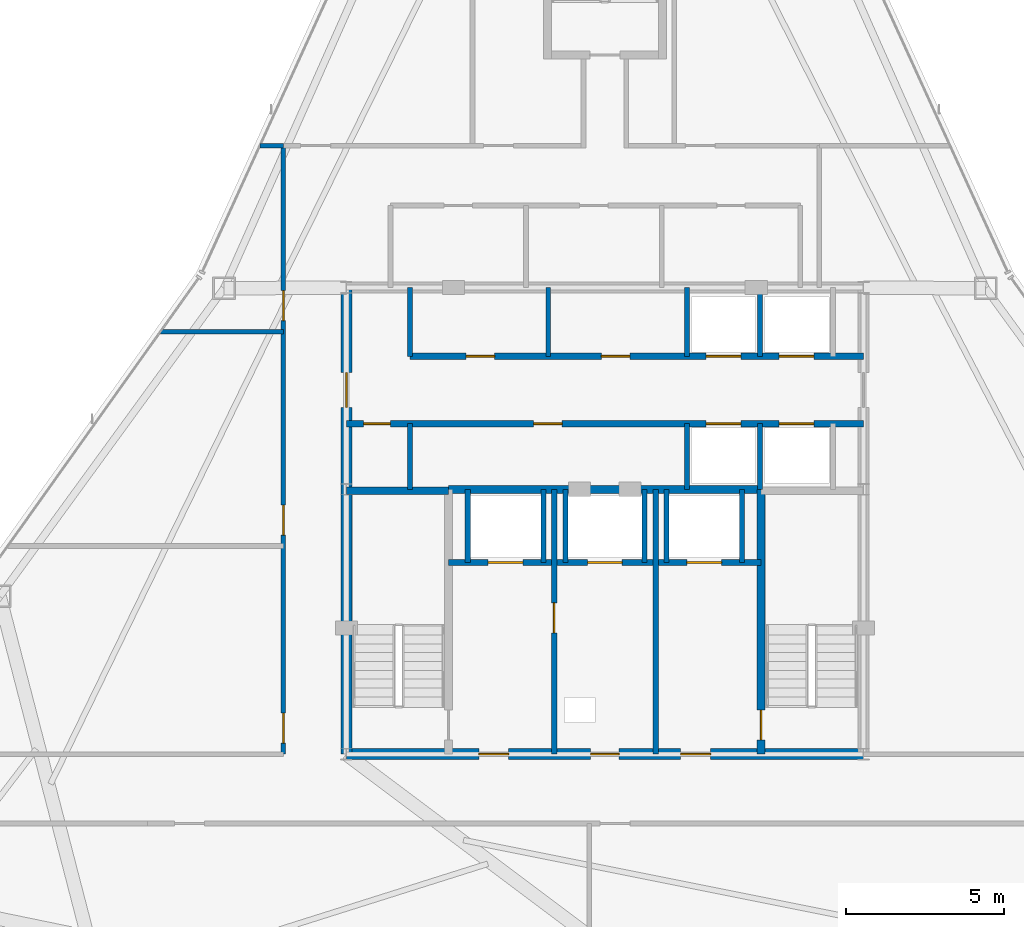
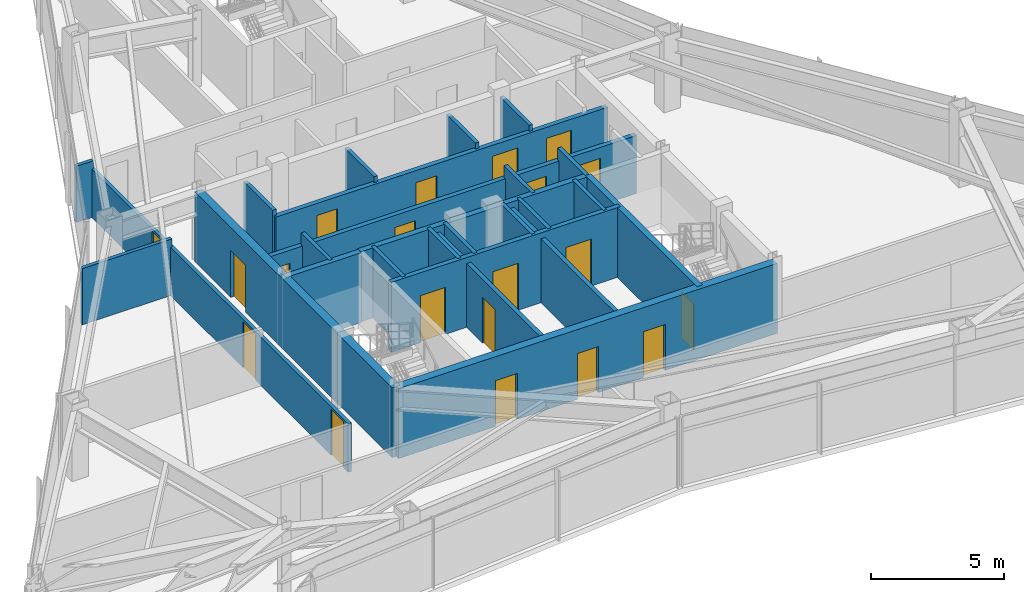
# One storey, part 9 of 11: 26 walls, 20 doors, 20 openings.
"""IFC4 building model written with IfcOpenShell, lengths in metres."""

import ifcopenshell
import ifcopenshell.guid

model = None  # the IFC model being written
_history = None  # IfcOwnerHistory: only IFC2X3 demands one
_inside = {}  # id of a spatial element -> (the spatial element, [elements in it])
_under = {}  # id of a project, library or spatial element -> (it, [spatial elements below it])
_declared = {}  # id of a project -> (the project, [libraries it declares])
_typed = {}  # id of a type object -> (the type object, [elements of that type])
_made_of = {}  # id of a material, layer set ... -> (it, [elements and type objects made of it])


def new_model(schema):
    """Start an empty IFC model of exactly this schema.

    Asked for "IFC4X3", IfcOpenShell would pick the latest addendum, in which some entities
    have other attributes; the version numbers below select the first issue.
    IFC2X3 requires an IfcOwnerHistory on every rooted entity: one is made here for all.
    """
    global model, _history
    if schema == "IFC4X3":
        model = ifcopenshell.file(schema_version=(4, 3, 0, 0))
    else:
        model = ifcopenshell.file(schema=schema)
    _inside.clear()
    _under.clear()
    _declared.clear()
    _typed.clear()
    _made_of.clear()
    _history = None
    if model.schema == "IFC2X3":
        org = make("IfcOrganization", Name="unknown")
        user = make(
            "IfcPersonAndOrganization",
            ThePerson=make("IfcPerson", FamilyName="unknown"),
            TheOrganization=org,
        )
        app = make(
            "IfcApplication",
            ApplicationDeveloper=org,
            Version="unknown",
            ApplicationFullName="unknown",
            ApplicationIdentifier="unknown",
        )
        _history = make(
            "IfcOwnerHistory",
            OwningUser=user,
            OwningApplication=app,
            ChangeAction="ADDED",
            CreationDate=0,
        )
    return model


def make(cls, **values):
    """One entity of the class cls with the attributes given. An attribute that is None is left unset."""
    return model.create_entity(
        cls, **{name: value for name, value in values.items() if value is not None}
    )


def rooted(cls, **values):
    """An entity with a GlobalId (a new one), such as an element, a storey or a relation."""
    return make(cls, GlobalId=ifcopenshell.guid.new(), OwnerHistory=_history, **values)


def si_unit(unit_type, name, prefix=None):
    """IfcSIUnit, for example si_unit("LENGTHUNIT", "METRE", prefix="MILLI")."""
    return make("IfcSIUnit", UnitType=unit_type, Prefix=prefix, Name=name)


def assignment(units):
    """IfcUnitAssignment: the units of a project."""
    return None if units is None else make("IfcUnitAssignment", Units=units)


def point(xyz):
    """IfcCartesianPoint."""
    return None if xyz is None else make("IfcCartesianPoint", Coordinates=xyz)


def direction(xyz):
    """IfcDirection."""
    return None if xyz is None else make("IfcDirection", DirectionRatios=xyz)


def frame(location, z_axis=None, x_axis=None):
    """IfcAxis2Placement3D, a coordinate frame: its origin and axes. An axis left out is left unset."""
    return make(
        "IfcAxis2Placement3D",
        Location=point(location),
        Axis=direction(z_axis),
        RefDirection=direction(x_axis),
    )


def frame_2d(location, x_axis=None):
    """IfcAxis2Placement2D, a coordinate frame in the plane: its origin and x axis."""
    return make(
        "IfcAxis2Placement2D", Location=point(location), RefDirection=direction(x_axis)
    )


def origin():
    """The frame at (0, 0, 0) with its axes left unset."""
    return frame((0.0, 0.0, 0.0))


def place(relative_to, where):
    """IfcLocalPlacement: puts the frame where relative to a parent placement (None: the world)."""
    return make(
        "IfcLocalPlacement", PlacementRelTo=relative_to, RelativePlacement=where
    )


def context(
    kind, dimensions, precision=None, world=None, true_north=None, identifier=None
):
    """IfcGeometricRepresentationContext, for example the 3D "Model" context."""
    return make(
        "IfcGeometricRepresentationContext",
        ContextIdentifier=identifier,
        ContextType=kind,
        CoordinateSpaceDimension=dimensions,
        Precision=precision,
        WorldCoordinateSystem=world,
        TrueNorth=true_north,
    )


def subcontext(parent, identifier, kind, view, scale=None):
    """IfcGeometricRepresentationSubContext, for example "Body" below "Model"."""
    return make(
        "IfcGeometricRepresentationSubContext",
        ContextIdentifier=identifier,
        ContextType=kind,
        ParentContext=parent,
        TargetScale=scale,
        TargetView=view,
    )


def project(units=None, contexts=None):
    """IfcProject with its units and contexts."""
    return rooted(
        "IfcProject",
        Name="project",
        RepresentationContexts=contexts,
        UnitsInContext=assignment(units),
    )


def spatial(cls, under=None, at=None, **own):
    """A site, building, storey or space (cls), placed at a placement, below another one or the project."""
    s = rooted(cls, ObjectPlacement=at, **own)
    if under is not None:
        _under.setdefault(under.id(), (under, []))[1].append(s)
    return s


def profile(cls, at=None, kind="AREA", **sizes):
    """A parametric profile (cls). Its sizes go by their IFC names, for example OverallWidth=200.0."""
    return make(cls, ProfileType=kind, Position=at, **sizes)


def rectangle(**sizes):
    """IfcRectangleProfileDef."""
    return profile("IfcRectangleProfileDef", **sizes)


def extrude(swept, where, along, depth):
    """IfcExtrudedAreaSolid: the profile swept, set in the frame where, extruded along a direction by depth."""
    return make(
        "IfcExtrudedAreaSolid",
        SweptArea=swept,
        Position=where,
        ExtrudedDirection=direction(along),
        Depth=depth,
    )


def shape(context_of_items, identifier, shape_type, items):
    """IfcShapeRepresentation: the items that make up one representation, for example the "Body"."""
    return make(
        "IfcShapeRepresentation",
        ContextOfItems=context_of_items,
        RepresentationIdentifier=identifier,
        RepresentationType=shape_type,
        Items=items,
    )


def material(Name=None, Category=None):
    """IfcMaterial."""
    return make("IfcMaterial", Name=Name, Category=Category)


def layer(
    of_material, thickness, ventilated=None, Name=None, Category=None, Priority=None
):
    """IfcMaterialLayer: one layer of a wall or slab, of a material (None: an air gap)."""
    return make(
        "IfcMaterialLayer",
        Material=of_material,
        LayerThickness=thickness,
        IsVentilated=ventilated,
        Name=Name,
        Category=Category,
        Priority=Priority,
    )


def layer_set(layers, Name=None):
    """IfcMaterialLayerSet."""
    return make("IfcMaterialLayerSet", MaterialLayers=layers, LayerSetName=Name)


def made_of(thing, what):
    """Note that an element or type object is made of a material, layer set ...; save() writes the relation."""
    if what is not None:
        _made_of.setdefault(what.id(), (what, []))[1].append(thing)
    return thing


def type_object(cls, material=None, **own):
    """A type object (cls), such as IfcWallType, which elements share."""
    return made_of(rooted(cls, **own), material)


def element(
    cls,
    number,
    at=None,
    inside=None,
    cuts=None,
    type_object=None,
    material=None,
    context=None,
    identifier="Body",
    shape_type=None,
    held_by="IfcProductDefinitionShape",
    body=None,
    shapes=None,
    **own,
):
    """One element of the class cls, such as IfcWall. Its Tag is "e" and its number.

    at: its placement. inside: the storey or other place that contains it. cuts: it is an
    opening in that element (IfcRelVoidsElement). A single representation is given by context,
    identifier, shape_type and body (its items); several are given by shapes. held_by: the class
    of the entity that holds the representations. save() writes the other relations.
    """
    e = rooted(cls, Tag="e%d" % number, ObjectPlacement=at, **own)
    if body is not None:
        shapes = [shape(context, identifier, shape_type, body)]
    if shapes is not None:
        e.Representation = make(held_by, Representations=shapes)
    if inside is not None:
        _inside.setdefault(inside.id(), (inside, []))[1].append(e)
    if cuts is not None:
        rooted(
            "IfcRelVoidsElement", RelatingBuildingElement=cuts, RelatedOpeningElement=e
        )
    if type_object is not None:
        _typed.setdefault(type_object.id(), (type_object, []))[1].append(e)
    return made_of(e, material)


def fill(opening, filler):
    """IfcRelFillsElement: the door or window that sits in an opening."""
    return rooted(
        "IfcRelFillsElement",
        RelatingOpeningElement=opening,
        RelatedBuildingElement=filler,
    )


def aggregate(whole, parts):
    """IfcRelAggregates: a whole, such as a stair, and the parts it consists of."""
    return rooted("IfcRelAggregates", RelatingObject=whole, RelatedObjects=parts)


def save(model, path):
    """Write the relations noted so far, then the file.

    IfcRelAggregates (storeys below a building ...), IfcRelContainedInSpatialStructure (elements
    in a storey), IfcRelDefinesByType, IfcRelAssociatesMaterial and IfcRelDeclares: one each for
    every whole, place, type object, material and project.
    """
    for whole, parts in _under.values():
        aggregate(whole, parts)
    for where, things in _inside.values():
        rooted(
            "IfcRelContainedInSpatialStructure",
            RelatedElements=things,
            RelatingStructure=where,
        )
    for kind, things in _typed.values():
        rooted("IfcRelDefinesByType", RelatedObjects=things, RelatingType=kind)
    for what, things in _made_of.values():
        rooted("IfcRelAssociatesMaterial", RelatedObjects=things, RelatingMaterial=what)
    for by, libraries in _declared.values():
        rooted("IfcRelDeclares", RelatingContext=by, RelatedDefinitions=libraries)
    model.write(path)


model = new_model("IFC4")

# Units and contexts
model_context = context("Model", 3, precision=1e-05, world=origin(), true_north=direction((0.0, 1.0)))
body_context = subcontext(model_context, "Body", "Model", "MODEL_VIEW")
ifc_project = project(units=[si_unit("LENGTHUNIT", "METRE"), si_unit("AREAUNIT", "SQUARE_METRE"), si_unit("VOLUMEUNIT", "CUBIC_METRE"), si_unit("PLANEANGLEUNIT", "RADIAN"), si_unit("MASSUNIT", "GRAM", prefix="KILO")], contexts=[model_context])

# Site, building, storey
site_placement = place(None, origin())
site = spatial("IfcSite", under=ifc_project, at=site_placement, CompositionType="ELEMENT")
building_placement = place(site_placement, origin())
building = spatial("IfcBuilding", under=site, at=building_placement, Name="Varakhsha Concourse Tower", CompositionType="ELEMENT")
storey_placement = place(building_placement, frame((0.0, 0.0, 246.89990234375)))
storey = spatial("IfcBuildingStorey", under=building, at=storey_placement, Name="L70", CompositionType="ELEMENT", Elevation=246.89990234375)

# Wall, openings, doors
ifc_material_1 = material(Name="Concrete fc 65 MPa", Category="concrete")
ifc_layer_1 = layer(ifc_material_1, 0.35009765625, Name="WL-CORE-350")
ifc_layer_set_1 = layer_set([ifc_layer_1], Name="Concrete fc 65 MPa")
wall_type_1 = type_object("IfcWallType", Name="WL-CORE-350", PredefinedType="SHEAR", material=ifc_layer_set_1)
wall_1_placement = place(storey_placement, frame((31.800048828125, 16.39990234375, 0.0), z_axis=(0.0, 0.0, 1.0), x_axis=(1.0, 0.0, 0.0)))
wall_1 = element("IfcWall", 1, at=wall_1_placement, inside=storey, type_object=wall_type_1, Name="L70 Wall CWALL-S-L70", PredefinedType="SHEAR", context=body_context, shape_type="SweptSolid", body=[
    extrude(rectangle(XDim=16.39990234375, YDim=0.35009765625, at=frame_2d((8.199951171875, 0.0))), origin(), (0.0, 0.0, 1.0), 3.2001953125),
])
opening_1_placement = place(wall_1_placement, frame((7.75, 0.0, 0.0)))
opening_1 = element("IfcOpeningElement", 2, at=opening_1_placement, cuts=wall_1, Name="Opening DF-06", PredefinedType="OPENING", context=body_context, shape_type="SweptSolid", body=[
    extrude(rectangle(XDim=0.89990234375, YDim=2.10009765625, at=frame_2d((0.449951171875, 1.050048828125))), frame((0.0, 0.18505859375, 0.0), z_axis=(0.0, -1.0, 0.0), x_axis=(1.0, 0.0, 0.0)), (0.0, 0.0, 1.0), 0.3701171875),
])
opening_2_placement = place(wall_1_placement, frame((4.199951171875, 0.0, 0.0)))
opening_2 = element("IfcOpeningElement", 3, at=opening_2_placement, cuts=wall_1, Name="Opening DF-05", PredefinedType="OPENING", context=body_context, shape_type="SweptSolid", body=[
    extrude(rectangle(XDim=0.949951171875, YDim=2.10009765625, at=frame_2d((0.47509765625, 1.050048828125))), frame((0.0, 0.18505859375, 0.0), z_axis=(0.0, -1.0, 0.0), x_axis=(1.0, 0.0, 0.0)), (0.0, 0.0, 1.0), 0.3701171875),
])
opening_3_placement = place(wall_1_placement, frame((10.60009765625, 0.0, 0.0)))
opening_3 = element("IfcOpeningElement", 4, at=opening_3_placement, cuts=wall_1, Name="Opening DF-05", PredefinedType="OPENING", context=body_context, shape_type="SweptSolid", body=[
    extrude(rectangle(XDim=0.949951171875, YDim=2.10009765625, at=frame_2d((0.47509765625, 1.050048828125))), frame((0.0, 0.18505859375, 0.0), z_axis=(0.0, -1.0, 0.0), x_axis=(1.0, 0.0, 0.0)), (0.0, 0.0, 1.0), 0.3701171875),
])
ifc_material_2 = material(Name="Hollow Galvanised Steel Fire Door Assembly", Category="steel")
door_type_1 = type_object("IfcDoorType", Name="DR-FD60-900", OperationType="NOTDEFINED", PredefinedType="DOOR", material=ifc_material_2)
door_1_placement = place(opening_1_placement, origin())
door_1 = element("IfcDoor", 5, at=door_1_placement, inside=storey, type_object=door_type_1, Name="L70 Service Riser Vestibule Door", OperationType="SINGLE_SWING_LEFT", OverallHeight=2.10009765625, OverallWidth=0.89990234375, PredefinedType="DOOR", context=body_context, shape_type="SweptSolid", body=[
    extrude(rectangle(XDim=0.89990234375, YDim=2.10009765625, at=frame_2d((0.449951171875, 1.050048828125))), frame((0.0, 0.02490234375, 0.0), z_axis=(0.0, -1.0, 0.0), x_axis=(1.0, 0.0, 0.0)), (0.0, 0.0, 1.0), 0.050048828125),
])
fill(opening_1, door_1)
door_type_2 = type_object("IfcDoorType", Name="DR-FD60-950", OperationType="NOTDEFINED", PredefinedType="DOOR", material=ifc_material_2)
door_2_placement = place(opening_2_placement, origin())
door_2 = element("IfcDoor", 6, at=door_2_placement, inside=storey, type_object=door_type_2, Name="L70 Firefighting Lobby West Door", OperationType="SINGLE_SWING_RIGHT", OverallHeight=2.10009765625, OverallWidth=0.949951171875, PredefinedType="DOOR", context=body_context, shape_type="SweptSolid", body=[
    extrude(rectangle(XDim=0.949951171875, YDim=2.10009765625, at=frame_2d((0.47509765625, 1.050048828125))), frame((0.0, 0.02490234375, 0.0), z_axis=(0.0, -1.0, 0.0), x_axis=(1.0, 0.0, 0.0)), (0.0, 0.0, 1.0), 0.050048828125),
])
fill(opening_2, door_2)
door_3_placement = place(opening_3_placement, origin())
door_3 = element("IfcDoor", 7, at=door_3_placement, inside=storey, type_object=door_type_2, Name="L70 Firefighting Lobby East Door", OperationType="SINGLE_SWING_LEFT", OverallHeight=2.10009765625, OverallWidth=0.949951171875, PredefinedType="DOOR", context=body_context, shape_type="SweptSolid", body=[
    extrude(rectangle(XDim=0.949951171875, YDim=2.10009765625, at=frame_2d((0.47509765625, 1.050048828125))), frame((0.0, 0.02490234375, 0.0), z_axis=(0.0, -1.0, 0.0), x_axis=(1.0, 0.0, 0.0)), (0.0, 0.0, 1.0), 0.050048828125),
])
fill(opening_3, door_3)

# Wall, opening, door
wall_2_placement = place(storey_placement, frame((31.800048828125, 16.39990234375, 0.0), z_axis=(0.0, 0.0, 1.0), x_axis=(0.0, 1.0, 0.0)))
wall_2 = element("IfcWall", 8, at=wall_2_placement, inside=storey, type_object=wall_type_1, Name="L70 Wall CWALL-W-L70", PredefinedType="SHEAR", context=body_context, shape_type="SweptSolid", body=[
    extrude(rectangle(XDim=14.800048828125, YDim=0.35009765625, at=frame_2d((7.39990234375, 0.0))), origin(), (0.0, 0.0, 1.0), 3.2001953125),
])
opening_4_placement = place(wall_2_placement, frame((11.0, 0.0, 0.0)))
opening_4 = element("IfcOpeningElement", 9, at=opening_4_placement, cuts=wall_2, Name="Opening DL-01", PredefinedType="OPENING", context=body_context, shape_type="SweptSolid", body=[
    extrude(rectangle(XDim=1.10009765625, YDim=2.14990234375, at=frame_2d((0.550048828125, 1.074951171875))), frame((0.0, 0.18505859375, 0.0), z_axis=(0.0, -1.0, 0.0), x_axis=(1.0, 0.0, 0.0)), (0.0, 0.0, 1.0), 0.3701171875),
])
ifc_material_3 = material(Name="Anodised Bronze Architectural Aluminium AA 6063-T6", Category="aluminium")
door_type_3 = type_object("IfcDoorType", Name="DR-LOB-1100", OperationType="NOTDEFINED", PredefinedType="DOOR", material=ifc_material_3)
door_4_placement = place(opening_4_placement, origin())
door_4 = element("IfcDoor", 10, at=door_4_placement, inside=storey, type_object=door_type_3, Name="L70 Lift Lobby West Concourse Door", OperationType="SINGLE_SWING_LEFT", OverallHeight=2.14990234375, OverallWidth=1.10009765625, PredefinedType="DOOR", context=body_context, shape_type="SweptSolid", body=[
    extrude(rectangle(XDim=1.10009765625, YDim=2.14990234375, at=frame_2d((0.550048828125, 1.074951171875))), frame((0.0, 0.02490234375, 0.0), z_axis=(0.0, -1.0, 0.0), x_axis=(1.0, 0.0, 0.0)), (0.0, 0.0, 1.0), 0.050048828125),
])
fill(opening_4, door_4)

ifc_material_4 = material(Name="Fire-Rated Type X Gypsum Partition Assembly", Category="gypsum")
ifc_layer_2 = layer(ifc_material_4, 0.179931640625, Name="WL-FFLOB-180")
ifc_layer_set_2 = layer_set([ifc_layer_2], Name="Fire-Rated Type X Gypsum Partition Assembly")
wall_type_2 = type_object("IfcWallType", Name="WL-FFLOB-180", PredefinedType="PARTITIONING", material=ifc_layer_set_2)
wall_3_placement = place(storey_placement, frame((38.389892578125, 16.39990234375, 0.0), z_axis=(0.0, 0.0, 1.0), x_axis=(0.0, 1.0, 0.0)))
wall_3 = element("IfcWall", 11, at=wall_3_placement, inside=storey, type_object=wall_type_2, Name="L70 Wall FFW-1E-L70", PredefinedType="PARTITIONING", context=body_context, shape_type="SweptSolid", body=[
    extrude(rectangle(XDim=8.400146484375, YDim=0.179931640625, at=frame_2d((4.2001953125, 0.0))), origin(), (0.0, 0.0, 1.0), 2.927978515625),
])
opening_5_placement = place(wall_3_placement, frame((3.85009765625, 0.0, 0.0)))
opening_5 = element("IfcOpeningElement", 12, at=opening_5_placement, cuts=wall_3, Name="Opening DF-05", PredefinedType="OPENING", context=body_context, shape_type="SweptSolid", body=[
    extrude(rectangle(XDim=0.949951171875, YDim=2.10009765625, at=frame_2d((0.47509765625, 1.050048828125))), frame((0.0, 0.099853515625, 0.0), z_axis=(0.0, -1.0, 0.0), x_axis=(1.0, 0.0, 0.0)), (0.0, 0.0, 1.0), 0.199951171875),
])
door_5_placement = place(opening_5_placement, origin())
door_5 = element("IfcDoor", 13, at=door_5_placement, inside=storey, type_object=door_type_2, Name="L70 Service Vestibule Door", OperationType="SINGLE_SWING_RIGHT", OverallHeight=2.10009765625, OverallWidth=0.949951171875, PredefinedType="DOOR", context=body_context, shape_type="SweptSolid", body=[
    extrude(rectangle(XDim=0.949951171875, YDim=2.10009765625, at=frame_2d((0.47509765625, 1.050048828125))), frame((0.0, 0.02490234375, 0.0), z_axis=(0.0, -1.0, 0.0), x_axis=(1.0, 0.0, 0.0)), (0.0, 0.0, 1.0), 0.050048828125),
])
fill(opening_5, door_5)

# Walls
wall_4_placement = place(storey_placement, frame((41.610107421875, 16.39990234375, 0.0), z_axis=(0.0, 0.0, 1.0), x_axis=(0.0, 1.0, 0.0)))
element("IfcWall", 14, at=wall_4_placement, inside=storey, type_object=wall_type_2, Name="L70 Wall FFW-2W-L70", PredefinedType="PARTITIONING", context=body_context, shape_type="SweptSolid", body=[
    extrude(rectangle(XDim=8.400146484375, YDim=0.179931640625, at=frame_2d((4.2001953125, 0.0))), origin(), (0.0, 0.0, 1.0), 2.927978515625),
])
ifc_layer_3 = layer(ifc_material_4, 0.14990234375, Name="WL-PART-150")
ifc_layer_set_3 = layer_set([ifc_layer_3], Name="Fire-Rated Type X Gypsum Partition Assembly")
wall_type_3 = type_object("IfcWallType", Name="WL-PART-150", PredefinedType="PARTITIONING", material=ifc_layer_set_3)
wall_5_placement = place(storey_placement, frame((38.199951171875, 29.02001953125, 0.0), z_axis=(0.0, 0.0, 1.0), x_axis=(0.0, 1.0, 0.0)))
element("IfcWall", 15, at=wall_5_placement, inside=storey, type_object=wall_type_3, Name="L70 Wall P1F-D1-L70", PredefinedType="PARTITIONING", context=body_context, shape_type="SweptSolid", body=[
    extrude(rectangle(XDim=2.179931640625, YDim=0.14990234375, at=frame_2d((1.08984375, 0.0))), origin(), (0.0, 0.0, 1.0), 2.927978515625),
])

# Wall, openings, doors
wall_6_placement = place(storey_placement, frame((29.800048828125, 16.39990234375, 0.0), z_axis=(0.0, 0.0, 1.0), x_axis=(0.0, 1.0, 0.0)))
wall_6 = element("IfcWall", 16, at=wall_6_placement, inside=storey, type_object=wall_type_3, Name="L70 Wall CRW-W-L70", PredefinedType="PARTITIONING", context=body_context, shape_type="SweptSolid", body=[
    extrude(rectangle(XDim=19.300048828125, YDim=0.14990234375, at=frame_2d((9.64990234375, 0.0))), origin(), (0.0, 0.0, 1.0), 2.215087890625),
])
opening_6_placement = place(wall_6_placement, frame((0.35009765625, 0.0, 0.0)))
opening_6 = element("IfcOpeningElement", 17, at=opening_6_placement, cuts=wall_6, Name="Opening DF-05", PredefinedType="OPENING", context=body_context, shape_type="SweptSolid", body=[
    extrude(rectangle(XDim=0.949951171875, YDim=2.10009765625, at=frame_2d((0.47509765625, 1.050048828125))), frame((0.0, 0.0849609375, 0.0), z_axis=(0.0, -1.0, 0.0), x_axis=(1.0, 0.0, 0.0)), (0.0, 0.0, 1.0), 0.169921875),
])
opening_7_placement = place(wall_6_placement, frame((6.949951171875, 0.0, 0.0)))
opening_7 = element("IfcOpeningElement", 18, at=opening_7_placement, cuts=wall_6, Name="Opening DF-05", PredefinedType="OPENING", context=body_context, shape_type="SweptSolid", body=[
    extrude(rectangle(XDim=0.949951171875, YDim=2.10009765625, at=frame_2d((0.47509765625, 1.050048828125))), frame((0.0, 0.0849609375, 0.0), z_axis=(0.0, -1.0, 0.0), x_axis=(1.0, 0.0, 0.0)), (0.0, 0.0, 1.0), 0.169921875),
])
opening_8_placement = place(wall_6_placement, frame((13.75, 0.0, 0.0)))
opening_8 = element("IfcOpeningElement", 19, at=opening_8_placement, cuts=wall_6, Name="Opening DF-05", PredefinedType="OPENING", context=body_context, shape_type="SweptSolid", body=[
    extrude(rectangle(XDim=0.949951171875, YDim=2.10009765625, at=frame_2d((0.47509765625, 1.050048828125))), frame((0.0, 0.0849609375, 0.0), z_axis=(0.0, -1.0, 0.0), x_axis=(1.0, 0.0, 0.0)), (0.0, 0.0, 1.0), 0.169921875),
])
door_6_placement = place(opening_6_placement, origin())
door_6 = element("IfcDoor", 20, at=door_6_placement, inside=storey, type_object=door_type_2, Name="L70 Client Briefing Studio L70 Door", OperationType="SINGLE_SWING_LEFT", OverallHeight=2.10009765625, OverallWidth=0.949951171875, PredefinedType="DOOR", context=body_context, shape_type="SweptSolid", body=[
    extrude(rectangle(XDim=0.949951171875, YDim=2.10009765625, at=frame_2d((0.47509765625, 1.050048828125))), frame((0.0, 0.02490234375, 0.0), z_axis=(0.0, -1.0, 0.0), x_axis=(1.0, 0.0, 0.0)), (0.0, 0.0, 1.0), 0.050048828125),
])
fill(opening_6, door_6)
door_7_placement = place(opening_7_placement, origin())
door_7 = element("IfcDoor", 21, at=door_7_placement, inside=storey, type_object=door_type_2, Name="L70 Strategic Advisory Office Suite L70-W2 Door", OperationType="SINGLE_SWING_RIGHT", OverallHeight=2.10009765625, OverallWidth=0.949951171875, PredefinedType="DOOR", context=body_context, shape_type="SweptSolid", body=[
    extrude(rectangle(XDim=0.949951171875, YDim=2.10009765625, at=frame_2d((0.47509765625, 1.050048828125))), frame((0.0, 0.02490234375, 0.0), z_axis=(0.0, -1.0, 0.0), x_axis=(1.0, 0.0, 0.0)), (0.0, 0.0, 1.0), 0.050048828125),
])
fill(opening_7, door_7)
door_8_placement = place(opening_8_placement, origin())
door_8 = element("IfcDoor", 22, at=door_8_placement, inside=storey, type_object=door_type_2, Name="L70 Strategic Advisory Office Suite L70-W3 Door", OperationType="SINGLE_SWING_LEFT", OverallHeight=2.10009765625, OverallWidth=0.949951171875, PredefinedType="DOOR", context=body_context, shape_type="SweptSolid", body=[
    extrude(rectangle(XDim=0.949951171875, YDim=2.10009765625, at=frame_2d((0.47509765625, 1.050048828125))), frame((0.0, 0.02490234375, 0.0), z_axis=(0.0, -1.0, 0.0), x_axis=(1.0, 0.0, 0.0)), (0.0, 0.0, 1.0), 0.050048828125),
])
fill(opening_8, door_8)

# Walls
wall_7_placement = place(storey_placement, frame((29.060302734375, 35.699951171875, 0.0), z_axis=(0.0, 0.0, 1.0), x_axis=(1.0, 0.0, 0.0)))
element("IfcWall", 23, at=wall_7_placement, inside=storey, type_object=wall_type_3, Name="L70 Wall ODIV-WBN-L70", PredefinedType="PARTITIONING", context=body_context, shape_type="SweptSolid", body=[
    extrude(rectangle(XDim=0.73974609375, YDim=0.14990234375, at=frame_2d((0.369873046875, 0.0))), origin(), (0.0, 0.0, 1.0), 2.578125),
])
wall_8_placement = place(storey_placement, frame((25.90771484375, 29.800048828125, 0.0), z_axis=(0.0, 0.0, 1.0), x_axis=(1.0, 0.0, 0.0)))
element("IfcWall", 24, at=wall_8_placement, inside=storey, type_object=wall_type_3, Name="L70 Wall ODIV-W2-L70", PredefinedType="PARTITIONING", context=body_context, shape_type="SweptSolid", body=[
    extrude(rectangle(XDim=3.892333984375, YDim=0.14990234375, at=frame_2d((1.9462890625, 0.0))), origin(), (0.0, 0.0, 1.0), 2.578125),
])

# Wall, openings, doors
ifc_layer_4 = layer(ifc_material_4, 0.199951171875, Name="WL-SHAFT-220")
ifc_layer_set_4 = layer_set([ifc_layer_4], Name="Fire-Rated Type X Gypsum Partition Assembly")
wall_type_4 = type_object("IfcWallType", Name="WL-SHAFT-220", PredefinedType="SOLIDWALL", material=ifc_layer_set_4)
wall_9_placement = place(storey_placement, frame((35.044921875, 22.47998046875, 0.0), z_axis=(0.0, 0.0, 1.0), x_axis=(1.0, 0.0, 0.0)))
wall_9 = element("IfcWall", 25, at=wall_9_placement, inside=storey, type_object=wall_type_4, Name="L70 Wall FFW-NH-L70", PredefinedType="SOLIDWALL", context=body_context, shape_type="SweptSolid", body=[
    extrude(rectangle(XDim=9.91015625, YDim=0.199951171875, at=frame_2d((4.955078125, 0.0))), origin(), (0.0, 0.0, 1.0), 3.2001953125),
])
opening_9_placement = place(wall_9_placement, frame((1.2548828125, 0.0, 0.0)))
opening_9 = element("IfcOpeningElement", 26, at=opening_9_placement, cuts=wall_9, Name="Opening LD-FFL-1", PredefinedType="OPENING", context=body_context, shape_type="SweptSolid", body=[
    extrude(rectangle(XDim=1.10009765625, YDim=2.14990234375, at=frame_2d((0.550048828125, 1.074951171875))), frame((0.0, 0.10986328125, 0.0), z_axis=(0.0, -1.0, 0.0), x_axis=(1.0, 0.0, 0.0)), (0.0, 0.0, 1.0), 0.219970703125),
])
opening_10_placement = place(wall_9_placement, frame((7.554931640625, 0.0, 0.0)))
opening_10 = element("IfcOpeningElement", 27, at=opening_10_placement, cuts=wall_9, Name="Opening LD-FFL-2", PredefinedType="OPENING", context=body_context, shape_type="SweptSolid", body=[
    extrude(rectangle(XDim=1.10009765625, YDim=2.14990234375, at=frame_2d((0.550048828125, 1.074951171875))), frame((0.0, 0.10986328125, 0.0), z_axis=(0.0, -1.0, 0.0), x_axis=(1.0, 0.0, 0.0)), (0.0, 0.0, 1.0), 0.219970703125),
])
opening_11_placement = place(wall_9_placement, frame((4.405029296875, 0.0, 0.0)))
opening_11 = element("IfcOpeningElement", 28, at=opening_11_placement, cuts=wall_9, Name="Opening LD-SVL-1", PredefinedType="OPENING", context=body_context, shape_type="SweptSolid", body=[
    extrude(rectangle(XDim=1.10009765625, YDim=2.14990234375, at=frame_2d((0.550048828125, 1.074951171875))), frame((0.0, 0.10986328125, 0.0), z_axis=(0.0, -1.0, 0.0), x_axis=(1.0, 0.0, 0.0)), (0.0, 0.0, 1.0), 0.219970703125),
])
ifc_material_5 = material(Name="Brushed Austenitic Stainless Steel AISI 316", Category="steel")
door_type_4 = type_object("IfcDoorType", Name="DR-LD-1100", OperationType="DOUBLE_DOOR_SLIDING", PredefinedType="DOOR", material=ifc_material_5)
door_9_placement = place(opening_9_placement, origin())
door_9 = element("IfcDoor", 29, at=door_9_placement, inside=storey, type_object=door_type_4, Name="Lift Landing Door FFL-1 L70", OperationType="DOUBLE_DOOR_SLIDING", OverallHeight=2.14990234375, OverallWidth=1.10009765625, PredefinedType="DOOR", context=body_context, shape_type="SweptSolid", body=[
    extrude(rectangle(XDim=1.10009765625, YDim=2.14990234375, at=frame_2d((0.550048828125, 1.074951171875))), frame((0.0, 0.02490234375, 0.0), z_axis=(0.0, -1.0, 0.0), x_axis=(1.0, 0.0, 0.0)), (0.0, 0.0, 1.0), 0.050048828125),
])
fill(opening_9, door_9)
door_10_placement = place(opening_10_placement, origin())
door_10 = element("IfcDoor", 30, at=door_10_placement, inside=storey, type_object=door_type_4, Name="Lift Landing Door FFL-2 L70", OperationType="DOUBLE_DOOR_SLIDING", OverallHeight=2.14990234375, OverallWidth=1.10009765625, PredefinedType="DOOR", context=body_context, shape_type="SweptSolid", body=[
    extrude(rectangle(XDim=1.10009765625, YDim=2.14990234375, at=frame_2d((0.550048828125, 1.074951171875))), frame((0.0, 0.02490234375, 0.0), z_axis=(0.0, -1.0, 0.0), x_axis=(1.0, 0.0, 0.0)), (0.0, 0.0, 1.0), 0.050048828125),
])
fill(opening_10, door_10)
door_11_placement = place(opening_11_placement, origin())
door_11 = element("IfcDoor", 31, at=door_11_placement, inside=storey, type_object=door_type_4, Name="Lift Landing Door SVL-1 L70", OperationType="DOUBLE_DOOR_SLIDING", OverallHeight=2.14990234375, OverallWidth=1.10009765625, PredefinedType="DOOR", context=body_context, shape_type="SweptSolid", body=[
    extrude(rectangle(XDim=1.10009765625, YDim=2.14990234375, at=frame_2d((0.550048828125, 1.074951171875))), frame((0.0, 0.02490234375, 0.0), z_axis=(0.0, -1.0, 0.0), x_axis=(1.0, 0.0, 0.0)), (0.0, 0.0, 1.0), 0.050048828125),
])
fill(opening_11, door_11)

# Walls
for number, where, z_axis, x_axis, name in (
    (32, (35.64990234375, 22.47998046875, 0.0), (0.0, 0.0, 1.0), (0.0, 1.0, 0.0), "L70 Wall SHW-FFL-1-W-L70"),
    (33, (38.050048828125, 22.47998046875, 0.0), (0.0, 0.0, 1.0), (0.0, 1.0, 0.0), "L70 Wall SHW-FFL-1-E-L70"),
    (34, (41.949951171875, 22.47998046875, 0.0), (0.0, 0.0, 1.0), (0.0, 1.0, 0.0), "L70 Wall SHW-FFL-2-W-L70"),
    (35, (44.35009765625, 22.47998046875, 0.0), (0.0, 0.0, 1.0), (0.0, 1.0, 0.0), "L70 Wall SHW-FFL-2-E-L70"),
    (36, (38.75, 22.47998046875, 0.0), (0.0, 0.0, 1.0), (0.0, 1.0, 0.0), "L70 Wall SHW-SVL-1-W-L70"),
    (37, (41.25, 22.47998046875, 0.0), (0.0, 0.0, 1.0), (0.0, 1.0, 0.0), "L70 Wall SHW-SVL-1-E-L70"),
):
    element("IfcWall", number, at=place(storey_placement, frame(where, z_axis=z_axis, x_axis=x_axis)), inside=storey, type_object=wall_type_4, Name=name, PredefinedType="SOLIDWALL", context=body_context, shape_type="SweptSolid", body=[
        extrude(rectangle(XDim=2.320068359375, YDim=0.159912109375, at=frame_2d((1.16015625, 0.0))), origin(), (0.0, 0.0, 1.0), 3.2001953125),
    ])

# Wall, openings, doors
wall_10_placement = place(storey_placement, frame((33.820068359375, 29.02001953125, 0.0), z_axis=(0.0, 0.0, 1.0), x_axis=(1.0, 0.0, 0.0)))
wall_10 = element("IfcWall", 38, at=wall_10_placement, inside=storey, type_object=wall_type_4, Name="L70 Wall PLW-N-L70", PredefinedType="SOLIDWALL", context=body_context, shape_type="SweptSolid", body=[
    extrude(rectangle(XDim=14.3798828125, YDim=0.199951171875, at=frame_2d((7.18994140625, 0.0))), origin(), (0.0, 0.0, 1.0), 2.655029296875),
])
opening_12_placement = place(wall_10_placement, frame((1.780029296875, 0.0, 0.0)))
opening_12 = element("IfcOpeningElement", 39, at=opening_12_placement, cuts=wall_10, Name="Opening DF-06", PredefinedType="OPENING", context=body_context, shape_type="SweptSolid", body=[
    extrude(rectangle(XDim=0.89990234375, YDim=2.10009765625, at=frame_2d((0.449951171875, 1.050048828125))), frame((0.0, 0.10986328125, 0.0), z_axis=(0.0, -1.0, 0.0), x_axis=(1.0, 0.0, 0.0)), (0.0, 0.0, 1.0), 0.219970703125),
])
opening_13_placement = place(wall_10_placement, frame((6.070068359375, 0.0, 0.0)))
opening_13 = element("IfcOpeningElement", 40, at=opening_13_placement, cuts=wall_10, Name="Opening DF-06", PredefinedType="OPENING", context=body_context, shape_type="SweptSolid", body=[
    extrude(rectangle(XDim=0.89990234375, YDim=2.10009765625, at=frame_2d((0.449951171875, 1.050048828125))), frame((0.0, 0.10986328125, 0.0), z_axis=(0.0, -1.0, 0.0), x_axis=(1.0, 0.0, 0.0)), (0.0, 0.0, 1.0), 0.219970703125),
])
opening_14_placement = place(wall_10_placement, frame((9.389892578125, 0.0, 0.0)))
opening_14 = element("IfcOpeningElement", 41, at=opening_14_placement, cuts=wall_10, Name="Opening LD-LF-P09", PredefinedType="OPENING", context=body_context, shape_type="SweptSolid", body=[
    extrude(rectangle(XDim=1.10009765625, YDim=2.14990234375, at=frame_2d((0.550048828125, 1.074951171875))), frame((0.0, 0.10986328125, 0.0), z_axis=(0.0, -1.0, 0.0), x_axis=(1.0, 0.0, 0.0)), (0.0, 0.0, 1.0), 0.219970703125),
])
opening_15_placement = place(wall_10_placement, frame((11.7099609375, 0.0, 0.0)))
opening_15 = element("IfcOpeningElement", 42, at=opening_15_placement, cuts=wall_10, Name="Opening LD-LF-P10", PredefinedType="OPENING", context=body_context, shape_type="SweptSolid", body=[
    extrude(rectangle(XDim=1.10009765625, YDim=2.14990234375, at=frame_2d((0.550048828125, 1.074951171875))), frame((0.0, 0.10986328125, 0.0), z_axis=(0.0, -1.0, 0.0), x_axis=(1.0, 0.0, 0.0)), (0.0, 0.0, 1.0), 0.219970703125),
])
door_12_placement = place(opening_12_placement, origin())
door_12 = element("IfcDoor", 43, at=door_12_placement, inside=storey, type_object=door_type_1, Name="L70 Tenant Archive and IT Server Room Door", OperationType="SINGLE_SWING_LEFT", OverallHeight=2.10009765625, OverallWidth=0.89990234375, PredefinedType="DOOR", context=body_context, shape_type="SweptSolid", body=[
    extrude(rectangle(XDim=0.89990234375, YDim=2.10009765625, at=frame_2d((0.449951171875, 1.050048828125))), frame((0.0, 0.02490234375, 0.0), z_axis=(0.0, -1.0, 0.0), x_axis=(1.0, 0.0, 0.0)), (0.0, 0.0, 1.0), 0.050048828125),
])
fill(opening_12, door_12)
door_13_placement = place(opening_13_placement, origin())
door_13 = element("IfcDoor", 44, at=door_13_placement, inside=storey, type_object=door_type_1, Name="L70 Core Facility Closet N1 Door", OperationType="SINGLE_SWING_RIGHT", OverallHeight=2.10009765625, OverallWidth=0.89990234375, PredefinedType="DOOR", context=body_context, shape_type="SweptSolid", body=[
    extrude(rectangle(XDim=0.89990234375, YDim=2.10009765625, at=frame_2d((0.449951171875, 1.050048828125))), frame((0.0, 0.02490234375, 0.0), z_axis=(0.0, -1.0, 0.0), x_axis=(1.0, 0.0, 0.0)), (0.0, 0.0, 1.0), 0.050048828125),
])
fill(opening_13, door_13)
door_14_placement = place(opening_14_placement, origin())
door_14 = element("IfcDoor", 45, at=door_14_placement, inside=storey, type_object=door_type_4, Name="Lift Landing Door LF-P09 L70", OperationType="DOUBLE_DOOR_SLIDING", OverallHeight=2.14990234375, OverallWidth=1.10009765625, PredefinedType="DOOR", context=body_context, shape_type="SweptSolid", body=[
    extrude(rectangle(XDim=1.10009765625, YDim=2.14990234375, at=frame_2d((0.550048828125, 1.074951171875))), frame((0.0, 0.02490234375, 0.0), z_axis=(0.0, -1.0, 0.0), x_axis=(1.0, 0.0, 0.0)), (0.0, 0.0, 1.0), 0.050048828125),
])
fill(opening_14, door_14)
door_15_placement = place(opening_15_placement, origin())
door_15 = element("IfcDoor", 46, at=door_15_placement, inside=storey, type_object=door_type_4, Name="Lift Landing Door LF-P10 L70", OperationType="DOUBLE_DOOR_SLIDING", OverallHeight=2.14990234375, OverallWidth=1.10009765625, PredefinedType="DOOR", context=body_context, shape_type="SweptSolid", body=[
    extrude(rectangle(XDim=1.10009765625, YDim=2.14990234375, at=frame_2d((0.550048828125, 1.074951171875))), frame((0.0, 0.02490234375, 0.0), z_axis=(0.0, -1.0, 0.0), x_axis=(1.0, 0.0, 0.0)), (0.0, 0.0, 1.0), 0.050048828125),
])
fill(opening_15, door_15)

wall_11_placement = place(storey_placement, frame((31.800048828125, 26.8798828125, 0.0), z_axis=(0.0, 0.0, 1.0), x_axis=(1.0, 0.0, 0.0)))
wall_11 = element("IfcWall", 47, at=wall_11_placement, inside=storey, type_object=wall_type_4, Name="L70 Wall PLW-S-L70", PredefinedType="SOLIDWALL", context=body_context, shape_type="SweptSolid", body=[
    extrude(rectangle(XDim=16.39990234375, YDim=0.199951171875, at=frame_2d((8.199951171875, 0.0))), origin(), (0.0, 0.0, 1.0), 2.655029296875),
])
opening_16_placement = place(wall_11_placement, frame((0.550048828125, 0.0, 0.0)))
opening_16 = element("IfcOpeningElement", 48, at=opening_16_placement, cuts=wall_11, Name="Opening DF-07", PredefinedType="OPENING", context=body_context, shape_type="SweptSolid", body=[
    extrude(rectangle(XDim=0.85009765625, YDim=2.050048828125, at=frame_2d((0.425048828125, 1.02490234375))), frame((0.0, 0.10986328125, 0.0), z_axis=(0.0, -1.0, 0.0), x_axis=(1.0, 0.0, 0.0)), (0.0, 0.0, 1.0), 0.219970703125),
])
opening_17_placement = place(wall_11_placement, frame((5.93994140625, 0.0, 0.0)))
opening_17 = element("IfcOpeningElement", 49, at=opening_17_placement, cuts=wall_11, Name="Opening DF-06", PredefinedType="OPENING", context=body_context, shape_type="SweptSolid", body=[
    extrude(rectangle(XDim=0.89990234375, YDim=2.10009765625, at=frame_2d((0.449951171875, 1.050048828125))), frame((0.0, 0.10986328125, 0.0), z_axis=(0.0, -1.0, 0.0), x_axis=(1.0, 0.0, 0.0)), (0.0, 0.0, 1.0), 0.219970703125),
])
opening_18_placement = place(wall_11_placement, frame((11.409912109375, 0.0, 0.0)))
opening_18 = element("IfcOpeningElement", 50, at=opening_18_placement, cuts=wall_11, Name="Opening LD-LF-P11", PredefinedType="OPENING", context=body_context, shape_type="SweptSolid", body=[
    extrude(rectangle(XDim=1.10009765625, YDim=2.14990234375, at=frame_2d((0.550048828125, 1.074951171875))), frame((0.0, 0.10986328125, 0.0), z_axis=(0.0, -1.0, 0.0), x_axis=(1.0, 0.0, 0.0)), (0.0, 0.0, 1.0), 0.219970703125),
])
opening_19_placement = place(wall_11_placement, frame((13.72998046875, 0.0, 0.0)))
opening_19 = element("IfcOpeningElement", 51, at=opening_19_placement, cuts=wall_11, Name="Opening LD-LF-P12", PredefinedType="OPENING", context=body_context, shape_type="SweptSolid", body=[
    extrude(rectangle(XDim=1.10009765625, YDim=2.14990234375, at=frame_2d((0.550048828125, 1.074951171875))), frame((0.0, 0.10986328125, 0.0), z_axis=(0.0, -1.0, 0.0), x_axis=(1.0, 0.0, 0.0)), (0.0, 0.0, 1.0), 0.219970703125),
])
door_type_5 = type_object("IfcDoorType", Name="DR-FD60-850", OperationType="NOTDEFINED", PredefinedType="DOOR", material=ifc_material_2)
door_16_placement = place(opening_16_placement, origin())
door_16 = element("IfcDoor", 52, at=door_16_placement, inside=storey, type_object=door_type_5, Name="L70 Core Telecoms Closet Door", OperationType="SINGLE_SWING_RIGHT", OverallHeight=2.050048828125, OverallWidth=0.85009765625, PredefinedType="DOOR", context=body_context, shape_type="SweptSolid", body=[
    extrude(rectangle(XDim=0.85009765625, YDim=2.050048828125, at=frame_2d((0.425048828125, 1.02490234375))), frame((0.0, 0.02490234375, 0.0), z_axis=(0.0, -1.0, 0.0), x_axis=(1.0, 0.0, 0.0)), (0.0, 0.0, 1.0), 0.050048828125),
])
fill(opening_16, door_16)
door_17_placement = place(opening_17_placement, origin())
door_17 = element("IfcDoor", 53, at=door_17_placement, inside=storey, type_object=door_type_1, Name="L70 Executive Pantry and Copy Suite Door", OperationType="SINGLE_SWING_RIGHT", OverallHeight=2.10009765625, OverallWidth=0.89990234375, PredefinedType="DOOR", context=body_context, shape_type="SweptSolid", body=[
    extrude(rectangle(XDim=0.89990234375, YDim=2.10009765625, at=frame_2d((0.449951171875, 1.050048828125))), frame((0.0, 0.02490234375, 0.0), z_axis=(0.0, -1.0, 0.0), x_axis=(1.0, 0.0, 0.0)), (0.0, 0.0, 1.0), 0.050048828125),
])
fill(opening_17, door_17)
door_18_placement = place(opening_18_placement, origin())
door_18 = element("IfcDoor", 54, at=door_18_placement, inside=storey, type_object=door_type_4, Name="Lift Landing Door LF-P11 L70", OperationType="DOUBLE_DOOR_SLIDING", OverallHeight=2.14990234375, OverallWidth=1.10009765625, PredefinedType="DOOR", context=body_context, shape_type="SweptSolid", body=[
    extrude(rectangle(XDim=1.10009765625, YDim=2.14990234375, at=frame_2d((0.550048828125, 1.074951171875))), frame((0.0, 0.02490234375, 0.0), z_axis=(0.0, -1.0, 0.0), x_axis=(1.0, 0.0, 0.0)), (0.0, 0.0, 1.0), 0.050048828125),
])
fill(opening_18, door_18)
door_19_placement = place(opening_19_placement, origin())
door_19 = element("IfcDoor", 55, at=door_19_placement, inside=storey, type_object=door_type_4, Name="Lift Landing Door LF-P12 L70", OperationType="DOUBLE_DOOR_SLIDING", OverallHeight=2.14990234375, OverallWidth=1.10009765625, PredefinedType="DOOR", context=body_context, shape_type="SweptSolid", body=[
    extrude(rectangle(XDim=1.10009765625, YDim=2.14990234375, at=frame_2d((0.550048828125, 1.074951171875))), frame((0.0, 0.02490234375, 0.0), z_axis=(0.0, -1.0, 0.0), x_axis=(1.0, 0.0, 0.0)), (0.0, 0.0, 1.0), 0.050048828125),
])
fill(opening_19, door_19)

# Walls
wall_12_placement = place(storey_placement, frame((33.820068359375, 29.02001953125, 0.0), z_axis=(0.0, 0.0, 1.0), x_axis=(0.0, 1.0, 0.0)))
element("IfcWall", 56, at=wall_12_placement, inside=storey, type_object=wall_type_4, Name="L70 Wall WBOH-E1-L70", PredefinedType="SOLIDWALL", context=body_context, shape_type="SweptSolid", body=[
    extrude(rectangle(XDim=2.179931640625, YDim=0.159912109375, at=frame_2d((1.08984375, 0.0))), origin(), (0.0, 0.0, 1.0), 2.927978515625),
])
wall_13_placement = place(storey_placement, frame((33.820068359375, 24.800048828125, 0.0), z_axis=(0.0, 0.0, 1.0), x_axis=(0.0, 1.0, 0.0)))
element("IfcWall", 57, at=wall_13_placement, inside=storey, type_object=wall_type_4, Name="L70 Wall WBOH-E2-L70", PredefinedType="SOLIDWALL", context=body_context, shape_type="SweptSolid", body=[
    extrude(rectangle(XDim=2.079833984375, YDim=0.159912109375, at=frame_2d((1.0400390625, 0.0))), origin(), (0.0, 0.0, 1.0), 3.2001953125),
])
for number, where, z_axis, x_axis, name in (
    (58, (42.60009765625, 29.02001953125, 0.0), (0.0, 0.0, 1.0), (0.0, 1.0, 0.0), "L70 Wall SHW-LF-P09-W-L70"),
    (59, (44.919921875, 29.02001953125, 0.0), (0.0, 0.0, 1.0), (0.0, 1.0, 0.0), "L70 Wall SHW-LF-P09-E-L70"),
):
    element("IfcWall", number, at=place(storey_placement, frame(where, z_axis=z_axis, x_axis=x_axis)), inside=storey, type_object=wall_type_4, Name=name, PredefinedType="SOLIDWALL", context=body_context, shape_type="SweptSolid", body=[
        extrude(rectangle(XDim=2.179931640625, YDim=0.159912109375, at=frame_2d((1.08984375, 0.0))), origin(), (0.0, 0.0, 1.0), 2.927978515625),
    ])
for number, where, z_axis, x_axis, name in (
    (60, (42.60009765625, 24.800048828125, 0.0), (0.0, 0.0, 1.0), (0.0, 1.0, 0.0), "L70 Wall SHW-LF-P11-W-L70"),
    (61, (44.919921875, 24.800048828125, 0.0), (0.0, 0.0, 1.0), (0.0, 1.0, 0.0), "L70 Wall SHW-LF-P11-E-L70"),
):
    element("IfcWall", number, at=place(storey_placement, frame(where, z_axis=z_axis, x_axis=x_axis)), inside=storey, type_object=wall_type_4, Name=name, PredefinedType="SOLIDWALL", context=body_context, shape_type="SweptSolid", body=[
        extrude(rectangle(XDim=2.079833984375, YDim=0.159912109375, at=frame_2d((1.0400390625, 0.0))), origin(), (0.0, 0.0, 1.0), 3.2001953125),
    ])
ifc_material_6 = material(Name="Concrete fc 45 MPa", Category="concrete")
ifc_layer_5 = layer(ifc_material_6, 0.25, Name="WL-STAIR-250")
ifc_layer_set_5 = layer_set([ifc_layer_5], Name="Concrete fc 45 MPa")
wall_type_5 = type_object("IfcWallType", Name="WL-STAIR-250", PredefinedType="SHEAR", material=ifc_layer_set_5)
wall_14_placement = place(storey_placement, frame((31.800048828125, 24.7548828125, 0.0), z_axis=(0.0, 0.0, 1.0), x_axis=(1.0, 0.0, 0.0)))
element("IfcWall", 62, at=wall_14_placement, inside=storey, type_object=wall_type_5, Name="L70 Wall SWALL-ST1-N-L70", PredefinedType="SHEAR", context=body_context, shape_type="SweptSolid", body=[
    extrude(rectangle(XDim=3.244873046875, YDim=0.25, at=frame_2d((1.62255859375, 0.0))), origin(), (0.0, 0.0, 1.0), 3.2001953125),
])

# Wall, opening, door
wall_15_placement = place(storey_placement, frame((44.955078125, 16.39990234375, 0.0), z_axis=(0.0, 0.0, 1.0), x_axis=(0.0, 1.0, 0.0)))
wall_15 = element("IfcWall", 63, at=wall_15_placement, inside=storey, type_object=wall_type_5, Name="L70 Wall SWALL-ST2-W-L70", PredefinedType="SHEAR", context=body_context, shape_type="SweptSolid", body=[
    extrude(rectangle(XDim=8.400146484375, YDim=0.25, at=frame_2d((4.2001953125, 0.0))), origin(), (0.0, 0.0, 1.0), 3.2001953125),
])
opening_20_placement = place(wall_15_placement, frame((0.449951171875, 0.0, 0.0)))
opening_20 = element("IfcOpeningElement", 64, at=opening_20_placement, cuts=wall_15, Name="Opening DF-03", PredefinedType="OPENING", context=body_context, shape_type="SweptSolid", body=[
    extrude(rectangle(XDim=0.949951171875, YDim=2.10009765625, at=frame_2d((0.47509765625, 1.050048828125))), frame((0.0, 0.135009765625, 0.0), z_axis=(0.0, -1.0, 0.0), x_axis=(1.0, 0.0, 0.0)), (0.0, 0.0, 1.0), 0.27001953125),
])
door_type_6 = type_object("IfcDoorType", Name="DR-FD90-950", OperationType="NOTDEFINED", PredefinedType="DOOR", material=ifc_material_2)
door_20_placement = place(opening_20_placement, origin())
door_20 = element("IfcDoor", 65, at=door_20_placement, inside=storey, type_object=door_type_6, Name="L70 Stair ST2 Fire Door", OperationType="SINGLE_SWING_RIGHT", OverallHeight=2.10009765625, OverallWidth=0.949951171875, PredefinedType="DOOR", context=body_context, shape_type="SweptSolid", body=[
    extrude(rectangle(XDim=0.949951171875, YDim=2.10009765625, at=frame_2d((0.47509765625, 1.050048828125))), frame((0.0, 0.02490234375, 0.0), z_axis=(0.0, -1.0, 0.0), x_axis=(1.0, 0.0, 0.0)), (0.0, 0.0, 1.0), 0.050048828125),
])
fill(opening_20, door_20)

# Wall
wall_16_placement = place(storey_placement, frame((35.044921875, 24.800048828125, 0.0), z_axis=(0.0, 0.0, 1.0), x_axis=(1.0, 0.0, 0.0)))
element("IfcWall", 66, at=wall_16_placement, inside=storey, type_object=wall_type_5, Name="L70 Wall SWALL-MID-H-L70", PredefinedType="SHEAR", context=body_context, shape_type="SweptSolid", body=[
    extrude(rectangle(XDim=9.91015625, YDim=0.25, at=frame_2d((4.955078125, 0.0))), origin(), (0.0, 0.0, 1.0), 3.2001953125),
])

save(model, "model.ifc")
